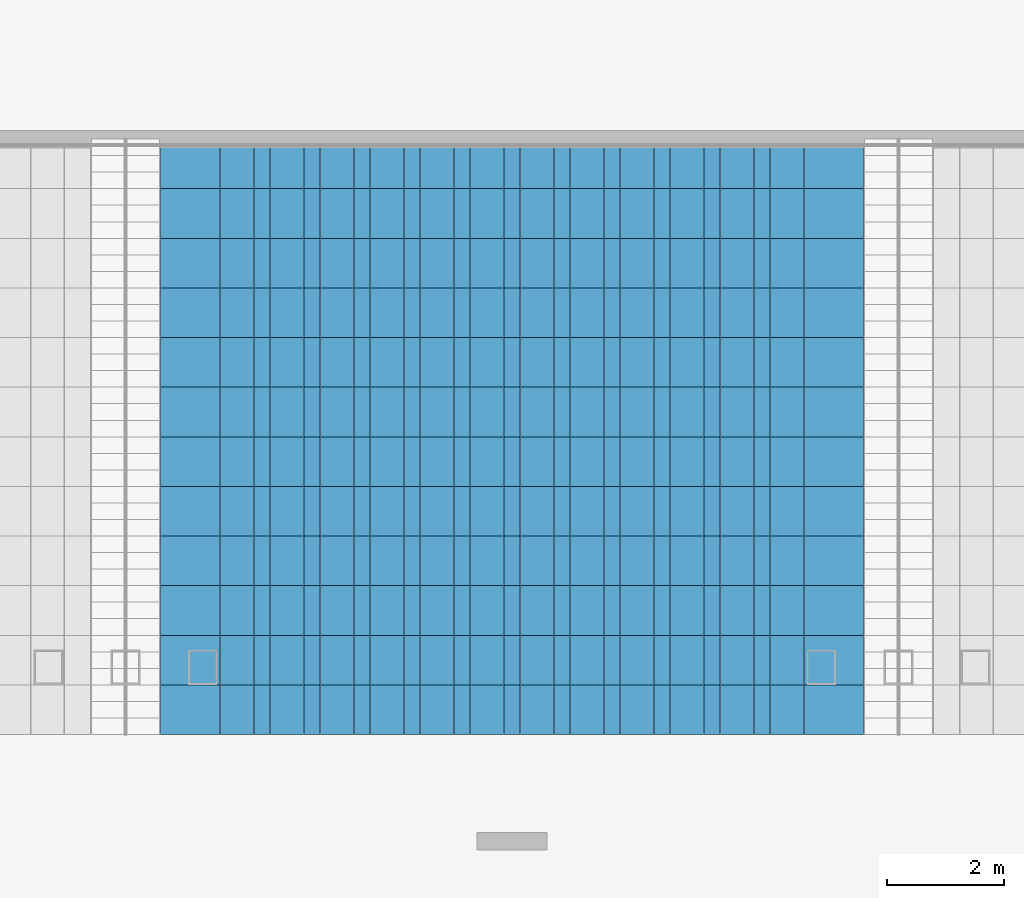
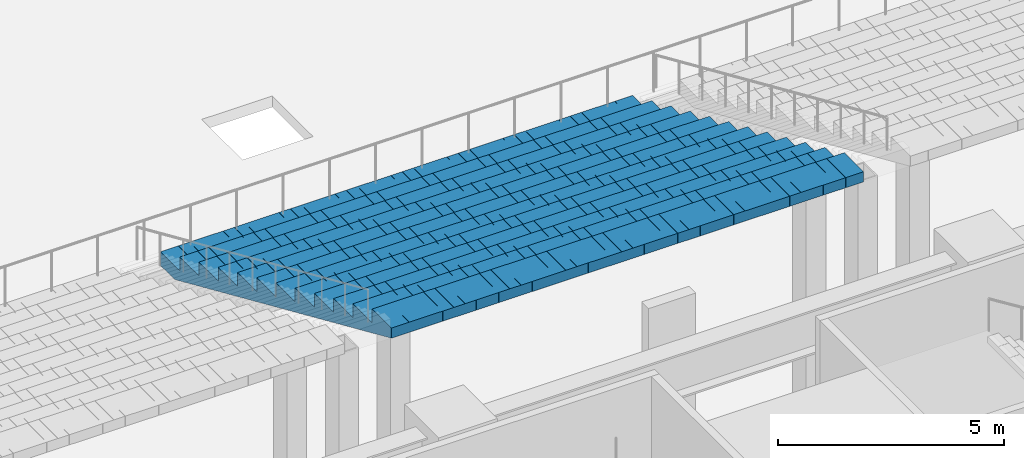
# One storey, part 18 of 62: 1 slab.
"""IFC4 building model written with IfcOpenShell, lengths in metres."""

import ifcopenshell
import ifcopenshell.guid

model = None  # the IFC model being written
_history = None  # IfcOwnerHistory: only IFC2X3 demands one
_inside = {}  # id of a spatial element -> (the spatial element, [elements in it])
_under = {}  # id of a project, library or spatial element -> (it, [spatial elements below it])
_declared = {}  # id of a project -> (the project, [libraries it declares])
_typed = {}  # id of a type object -> (the type object, [elements of that type])
_made_of = {}  # id of a material, layer set ... -> (it, [elements and type objects made of it])


def new_model(schema):
    """Start an empty IFC model of exactly this schema.

    Asked for "IFC4X3", IfcOpenShell would pick the latest addendum, in which some entities
    have other attributes; the version numbers below select the first issue.
    IFC2X3 requires an IfcOwnerHistory on every rooted entity: one is made here for all.
    """
    global model, _history
    if schema == "IFC4X3":
        model = ifcopenshell.file(schema_version=(4, 3, 0, 0))
    else:
        model = ifcopenshell.file(schema=schema)
    _inside.clear()
    _under.clear()
    _declared.clear()
    _typed.clear()
    _made_of.clear()
    _history = None
    if model.schema == "IFC2X3":
        org = make("IfcOrganization", Name="unknown")
        user = make(
            "IfcPersonAndOrganization",
            ThePerson=make("IfcPerson", FamilyName="unknown"),
            TheOrganization=org,
        )
        app = make(
            "IfcApplication",
            ApplicationDeveloper=org,
            Version="unknown",
            ApplicationFullName="unknown",
            ApplicationIdentifier="unknown",
        )
        _history = make(
            "IfcOwnerHistory",
            OwningUser=user,
            OwningApplication=app,
            ChangeAction="ADDED",
            CreationDate=0,
        )
    return model


def make(cls, **values):
    """One entity of the class cls with the attributes given. An attribute that is None is left unset."""
    return model.create_entity(
        cls, **{name: value for name, value in values.items() if value is not None}
    )


def rooted(cls, **values):
    """An entity with a GlobalId (a new one), such as an element, a storey or a relation."""
    return make(cls, GlobalId=ifcopenshell.guid.new(), OwnerHistory=_history, **values)


def si_unit(unit_type, name, prefix=None):
    """IfcSIUnit, for example si_unit("LENGTHUNIT", "METRE", prefix="MILLI")."""
    return make("IfcSIUnit", UnitType=unit_type, Prefix=prefix, Name=name)


def assignment(units):
    """IfcUnitAssignment: the units of a project."""
    return None if units is None else make("IfcUnitAssignment", Units=units)


def point(xyz):
    """IfcCartesianPoint."""
    return None if xyz is None else make("IfcCartesianPoint", Coordinates=xyz)


def direction(xyz):
    """IfcDirection."""
    return None if xyz is None else make("IfcDirection", DirectionRatios=xyz)


def frame(location, z_axis=None, x_axis=None):
    """IfcAxis2Placement3D, a coordinate frame: its origin and axes. An axis left out is left unset."""
    return make(
        "IfcAxis2Placement3D",
        Location=point(location),
        Axis=direction(z_axis),
        RefDirection=direction(x_axis),
    )


def origin():
    """The frame at (0, 0, 0) with its axes left unset."""
    return frame((0.0, 0.0, 0.0))


def place(relative_to, where):
    """IfcLocalPlacement: puts the frame where relative to a parent placement (None: the world)."""
    return make(
        "IfcLocalPlacement", PlacementRelTo=relative_to, RelativePlacement=where
    )


def context(
    kind, dimensions, precision=None, world=None, true_north=None, identifier=None
):
    """IfcGeometricRepresentationContext, for example the 3D "Model" context."""
    return make(
        "IfcGeometricRepresentationContext",
        ContextIdentifier=identifier,
        ContextType=kind,
        CoordinateSpaceDimension=dimensions,
        Precision=precision,
        WorldCoordinateSystem=world,
        TrueNorth=true_north,
    )


def subcontext(parent, identifier, kind, view, scale=None):
    """IfcGeometricRepresentationSubContext, for example "Body" below "Model"."""
    return make(
        "IfcGeometricRepresentationSubContext",
        ContextIdentifier=identifier,
        ContextType=kind,
        ParentContext=parent,
        TargetScale=scale,
        TargetView=view,
    )


def project(units=None, contexts=None):
    """IfcProject with its units and contexts."""
    return rooted(
        "IfcProject",
        Name="project",
        RepresentationContexts=contexts,
        UnitsInContext=assignment(units),
    )


def spatial(cls, under=None, at=None, **own):
    """A site, building, storey or space (cls), placed at a placement, below another one or the project."""
    s = rooted(cls, ObjectPlacement=at, **own)
    if under is not None:
        _under.setdefault(under.id(), (under, []))[1].append(s)
    return s


def polyline(points):
    """IfcPolyline through the points."""
    return make("IfcPolyline", Points=[point(p) for p in points])


def outline(outer, holes=None, kind="AREA"):
    """IfcArbitraryClosedProfileDef: a profile drawn as a closed curve; with holes, ...WithVoids."""
    if holes is None:
        return make("IfcArbitraryClosedProfileDef", ProfileType=kind, OuterCurve=outer)
    return make(
        "IfcArbitraryProfileDefWithVoids",
        ProfileType=kind,
        OuterCurve=outer,
        InnerCurves=holes,
    )


def extrude(swept, where, along, depth):
    """IfcExtrudedAreaSolid: the profile swept, set in the frame where, extruded along a direction by depth."""
    return make(
        "IfcExtrudedAreaSolid",
        SweptArea=swept,
        Position=where,
        ExtrudedDirection=direction(along),
        Depth=depth,
    )


def shape(context_of_items, identifier, shape_type, items):
    """IfcShapeRepresentation: the items that make up one representation, for example the "Body"."""
    return make(
        "IfcShapeRepresentation",
        ContextOfItems=context_of_items,
        RepresentationIdentifier=identifier,
        RepresentationType=shape_type,
        Items=items,
    )


def material(Name=None, Category=None):
    """IfcMaterial."""
    return make("IfcMaterial", Name=Name, Category=Category)


def layer(
    of_material, thickness, ventilated=None, Name=None, Category=None, Priority=None
):
    """IfcMaterialLayer: one layer of a wall or slab, of a material (None: an air gap)."""
    return make(
        "IfcMaterialLayer",
        Material=of_material,
        LayerThickness=thickness,
        IsVentilated=ventilated,
        Name=Name,
        Category=Category,
        Priority=Priority,
    )


def layer_set(layers, Name=None):
    """IfcMaterialLayerSet."""
    return make("IfcMaterialLayerSet", MaterialLayers=layers, LayerSetName=Name)


def made_of(thing, what):
    """Note that an element or type object is made of a material, layer set ...; save() writes the relation."""
    if what is not None:
        _made_of.setdefault(what.id(), (what, []))[1].append(thing)
    return thing


def type_object(cls, material=None, **own):
    """A type object (cls), such as IfcWallType, which elements share."""
    return made_of(rooted(cls, **own), material)


def element(
    cls,
    number,
    at=None,
    inside=None,
    cuts=None,
    type_object=None,
    material=None,
    context=None,
    identifier="Body",
    shape_type=None,
    held_by="IfcProductDefinitionShape",
    body=None,
    shapes=None,
    **own,
):
    """One element of the class cls, such as IfcWall. Its Tag is "e" and its number.

    at: its placement. inside: the storey or other place that contains it. cuts: it is an
    opening in that element (IfcRelVoidsElement). A single representation is given by context,
    identifier, shape_type and body (its items); several are given by shapes. held_by: the class
    of the entity that holds the representations. save() writes the other relations.
    """
    e = rooted(cls, Tag="e%d" % number, ObjectPlacement=at, **own)
    if body is not None:
        shapes = [shape(context, identifier, shape_type, body)]
    if shapes is not None:
        e.Representation = make(held_by, Representations=shapes)
    if inside is not None:
        _inside.setdefault(inside.id(), (inside, []))[1].append(e)
    if cuts is not None:
        rooted(
            "IfcRelVoidsElement", RelatingBuildingElement=cuts, RelatedOpeningElement=e
        )
    if type_object is not None:
        _typed.setdefault(type_object.id(), (type_object, []))[1].append(e)
    return made_of(e, material)


def aggregate(whole, parts):
    """IfcRelAggregates: a whole, such as a stair, and the parts it consists of."""
    return rooted("IfcRelAggregates", RelatingObject=whole, RelatedObjects=parts)


def save(model, path):
    """Write the relations noted so far, then the file.

    IfcRelAggregates (storeys below a building ...), IfcRelContainedInSpatialStructure (elements
    in a storey), IfcRelDefinesByType, IfcRelAssociatesMaterial and IfcRelDeclares: one each for
    every whole, place, type object, material and project.
    """
    for whole, parts in _under.values():
        aggregate(whole, parts)
    for where, things in _inside.values():
        rooted(
            "IfcRelContainedInSpatialStructure",
            RelatedElements=things,
            RelatingStructure=where,
        )
    for kind, things in _typed.values():
        rooted("IfcRelDefinesByType", RelatedObjects=things, RelatingType=kind)
    for what, things in _made_of.values():
        rooted("IfcRelAssociatesMaterial", RelatedObjects=things, RelatingMaterial=what)
    for by, libraries in _declared.values():
        rooted("IfcRelDeclares", RelatingContext=by, RelatedDefinitions=libraries)
    model.write(path)


model = new_model("IFC4")

# Units and contexts
model_context = context("Model", 3, precision=1e-05, world=origin(), true_north=direction((0.0, 1.0)))
body_context = subcontext(model_context, "Body", "Model", "MODEL_VIEW")
ifc_project = project(units=[si_unit("LENGTHUNIT", "METRE"), si_unit("AREAUNIT", "SQUARE_METRE"), si_unit("VOLUMEUNIT", "CUBIC_METRE"), si_unit("PLANEANGLEUNIT", "RADIAN"), si_unit("MASSUNIT", "GRAM", prefix="KILO")], contexts=[model_context])

# Site, building, storey
site_placement = place(None, origin())
site = spatial("IfcSite", under=ifc_project, at=site_placement, CompositionType="ELEMENT")
building_placement = place(site_placement, origin())
building = spatial("IfcBuilding", under=site, at=building_placement, Name="Corbelhall Arena Tower", CompositionType="ELEMENT")
storey_placement = place(building_placement, frame((0.0, 0.0, 12.0)))
storey = spatial("IfcBuildingStorey", under=building, at=storey_placement, Name="L01", CompositionType="ELEMENT", Elevation=12.0)

# Slab
ifc_material = material(Name="Precast concrete C40/50", Category="concrete")
ifc_layer = layer(ifc_material, 0.25)
ifc_layer_set = layer_set([ifc_layer], Name="AR-TIER-RAKED")
slab_type = type_object("IfcSlabType", Name="AR-TIER-RAKED", PredefinedType="FLOOR", material=ifc_layer_set)
slab_placement = place(storey_placement, frame((0.0, -15.14990234375, 2.125), z_axis=(0.0, 0.0, 1.0), x_axis=(0.0, -1.0, 0.0)))
element("IfcSlab", 1, at=slab_placement, inside=storey, type_object=slab_type, Name="Tier section LSC", PredefinedType="FLOOR", context=body_context, shape_type="SweptSolid", body=[
    extrude(outline(polyline([(0.0, 0.0), (0.0, 0.375), (0.85009765625, 0.375), (0.85009765625, 0.75), (1.699951171875, 0.75), (1.699951171875, 1.125), (2.550048828125, 1.125), (2.550048828125, 1.5), (3.39990234375, 1.5), (3.39990234375, 1.875), (4.25, 1.875), (4.25, 2.25), (5.10009765625, 2.25), (5.10009765625, 2.625), (5.949951171875, 2.625), (5.949951171875, 3.0), (6.800048828125, 3.0), (6.800048828125, 3.375), (7.64990234375, 3.375), (7.64990234375, 3.75), (8.5, 3.75), (8.5, 4.125), (9.35009765625, 4.125), (9.35009765625, 4.5), (10.199951171875, 4.5), (10.199951171875, 4.875), (10.199951171875, 4.226806640625), (0.619384765625, 0.0), (0.0, 0.0)])), frame((0.0, 6.02001953125, 0.0), z_axis=(0.0, -1.0, 0.0), x_axis=(1.0, 0.0, 0.0)), (0.0, 0.0, 1.0), 0.449951171875),
    extrude(outline(polyline([(0.0, 0.0), (0.0, 0.375), (0.85009765625, 0.375), (0.85009765625, 0.75), (1.699951171875, 0.75), (1.699951171875, 1.125), (2.550048828125, 1.125), (2.550048828125, 1.5), (3.39990234375, 1.5), (3.39990234375, 1.875), (4.25, 1.875), (4.25, 2.25), (5.10009765625, 2.25), (5.10009765625, 2.625), (5.949951171875, 2.625), (5.949951171875, 3.0), (6.800048828125, 3.0), (6.800048828125, 3.375), (7.64990234375, 3.375), (7.64990234375, 3.75), (8.5, 3.75), (8.5, 4.125), (9.35009765625, 4.125), (9.35009765625, 4.5), (10.199951171875, 4.5), (10.199951171875, 4.875), (10.199951171875, 4.226806640625), (0.619384765625, 0.0), (0.0, 0.0)])), frame((0.0, 5.56591796875, 0.0), z_axis=(0.0, -1.0, 0.0), x_axis=(1.0, 0.0, 0.0)), (0.0, 0.0, 1.0), 0.281494140625),
    extrude(outline(polyline([(0.0, 0.0), (0.0, 0.375), (0.85009765625, 0.375), (0.85009765625, 0.75), (1.699951171875, 0.75), (1.699951171875, 1.125), (2.550048828125, 1.125), (2.550048828125, 1.5), (3.39990234375, 1.5), (3.39990234375, 1.875), (4.25, 1.875), (4.25, 2.25), (5.10009765625, 2.25), (5.10009765625, 2.625), (5.949951171875, 2.625), (5.949951171875, 3.0), (6.800048828125, 3.0), (6.800048828125, 3.375), (7.64990234375, 3.375), (7.64990234375, 3.75), (8.5, 3.75), (8.5, 4.125), (9.35009765625, 4.125), (9.35009765625, 4.5), (10.199951171875, 4.5), (10.199951171875, 4.875), (10.199951171875, 4.226806640625), (0.619384765625, 0.0), (0.0, 0.0)])), frame((0.0, 5.280517578125, 0.0), z_axis=(0.0, -1.0, 0.0), x_axis=(1.0, 0.0, 0.0)), (0.0, 0.0, 1.0), 0.281494140625),
    extrude(outline(polyline([(0.0, 0.0), (0.0, 0.375), (0.85009765625, 0.375), (0.85009765625, 0.75), (1.699951171875, 0.75), (1.699951171875, 1.125), (2.550048828125, 1.125), (2.550048828125, 1.5), (3.39990234375, 1.5), (3.39990234375, 1.875), (4.25, 1.875), (4.25, 2.25), (5.10009765625, 2.25), (5.10009765625, 2.625), (5.949951171875, 2.625), (5.949951171875, 3.0), (6.800048828125, 3.0), (6.800048828125, 3.375), (7.64990234375, 3.375), (7.64990234375, 3.75), (8.5, 3.75), (8.5, 4.125), (9.35009765625, 4.125), (9.35009765625, 4.5), (10.199951171875, 4.5), (10.199951171875, 4.875), (10.199951171875, 4.226806640625), (0.619384765625, 0.0), (0.0, 0.0)])), frame((0.0, 4.994873046875, 0.0), z_axis=(0.0, -1.0, 0.0), x_axis=(1.0, 0.0, 0.0)), (0.0, 0.0, 1.0), 0.281494140625),
    extrude(outline(polyline([(0.0, 0.0), (0.0, 0.375), (0.85009765625, 0.375), (0.85009765625, 0.75), (1.699951171875, 0.75), (1.699951171875, 1.125), (2.550048828125, 1.125), (2.550048828125, 1.5), (3.39990234375, 1.5), (3.39990234375, 1.875), (4.25, 1.875), (4.25, 2.25), (5.10009765625, 2.25), (5.10009765625, 2.625), (5.949951171875, 2.625), (5.949951171875, 3.0), (6.800048828125, 3.0), (6.800048828125, 3.375), (7.64990234375, 3.375), (7.64990234375, 3.75), (8.5, 3.75), (8.5, 4.125), (9.35009765625, 4.125), (9.35009765625, 4.5), (10.199951171875, 4.5), (10.199951171875, 4.875), (10.199951171875, 4.226806640625), (0.619384765625, 0.0), (0.0, 0.0)])), frame((0.0, 4.70947265625, 0.0), z_axis=(0.0, -1.0, 0.0), x_axis=(1.0, 0.0, 0.0)), (0.0, 0.0, 1.0), 0.281494140625),
    extrude(outline(polyline([(0.0, 0.0), (0.0, 0.375), (0.85009765625, 0.375), (0.85009765625, 0.75), (1.699951171875, 0.75), (1.699951171875, 1.125), (2.550048828125, 1.125), (2.550048828125, 1.5), (3.39990234375, 1.5), (3.39990234375, 1.875), (4.25, 1.875), (4.25, 2.25), (5.10009765625, 2.25), (5.10009765625, 2.625), (5.949951171875, 2.625), (5.949951171875, 3.0), (6.800048828125, 3.0), (6.800048828125, 3.375), (7.64990234375, 3.375), (7.64990234375, 3.75), (8.5, 3.75), (8.5, 4.125), (9.35009765625, 4.125), (9.35009765625, 4.5), (10.199951171875, 4.5), (10.199951171875, 4.875), (10.199951171875, 4.226806640625), (0.619384765625, 0.0), (0.0, 0.0)])), frame((0.0, 4.423828125, 0.0), z_axis=(0.0, -1.0, 0.0), x_axis=(1.0, 0.0, 0.0)), (0.0, 0.0, 1.0), 0.281494140625),
    extrude(outline(polyline([(0.0, 0.0), (0.0, 0.375), (0.85009765625, 0.375), (0.85009765625, 0.75), (1.699951171875, 0.75), (1.699951171875, 1.125), (2.550048828125, 1.125), (2.550048828125, 1.5), (3.39990234375, 1.5), (3.39990234375, 1.875), (4.25, 1.875), (4.25, 2.25), (5.10009765625, 2.25), (5.10009765625, 2.625), (5.949951171875, 2.625), (5.949951171875, 3.0), (6.800048828125, 3.0), (6.800048828125, 3.375), (7.64990234375, 3.375), (7.64990234375, 3.75), (8.5, 3.75), (8.5, 4.125), (9.35009765625, 4.125), (9.35009765625, 4.5), (10.199951171875, 4.5), (10.199951171875, 4.875), (10.199951171875, 4.226806640625), (0.619384765625, 0.0), (0.0, 0.0)])), frame((0.0, 4.138427734375, 0.0), z_axis=(0.0, -1.0, 0.0), x_axis=(1.0, 0.0, 0.0)), (0.0, 0.0, 1.0), 0.281494140625),
    extrude(outline(polyline([(0.0, 0.0), (0.0, 0.375), (0.85009765625, 0.375), (0.85009765625, 0.75), (1.699951171875, 0.75), (1.699951171875, 1.125), (2.550048828125, 1.125), (2.550048828125, 1.5), (3.39990234375, 1.5), (3.39990234375, 1.875), (4.25, 1.875), (4.25, 2.25), (5.10009765625, 2.25), (5.10009765625, 2.625), (5.949951171875, 2.625), (5.949951171875, 3.0), (6.800048828125, 3.0), (6.800048828125, 3.375), (7.64990234375, 3.375), (7.64990234375, 3.75), (8.5, 3.75), (8.5, 4.125), (9.35009765625, 4.125), (9.35009765625, 4.5), (10.199951171875, 4.5), (10.199951171875, 4.875), (10.199951171875, 4.226806640625), (0.619384765625, 0.0), (0.0, 0.0)])), frame((0.0, 3.852783203125, 0.0), z_axis=(0.0, -1.0, 0.0), x_axis=(1.0, 0.0, 0.0)), (0.0, 0.0, 1.0), 0.281494140625),
    extrude(outline(polyline([(0.0, 0.0), (0.0, 0.375), (0.85009765625, 0.375), (0.85009765625, 0.75), (1.699951171875, 0.75), (1.699951171875, 1.125), (2.550048828125, 1.125), (2.550048828125, 1.5), (3.39990234375, 1.5), (3.39990234375, 1.875), (4.25, 1.875), (4.25, 2.25), (5.10009765625, 2.25), (5.10009765625, 2.625), (5.949951171875, 2.625), (5.949951171875, 3.0), (6.800048828125, 3.0), (6.800048828125, 3.375), (7.64990234375, 3.375), (7.64990234375, 3.75), (8.5, 3.75), (8.5, 4.125), (9.35009765625, 4.125), (9.35009765625, 4.5), (10.199951171875, 4.5), (10.199951171875, 4.875), (10.199951171875, 4.226806640625), (0.619384765625, 0.0), (0.0, 0.0)])), frame((0.0, 3.567138671875, 0.0), z_axis=(0.0, -1.0, 0.0), x_axis=(1.0, 0.0, 0.0)), (0.0, 0.0, 1.0), 0.281494140625),
    extrude(outline(polyline([(0.0, 0.0), (0.0, 0.375), (0.85009765625, 0.375), (0.85009765625, 0.75), (1.699951171875, 0.75), (1.699951171875, 1.125), (2.550048828125, 1.125), (2.550048828125, 1.5), (3.39990234375, 1.5), (3.39990234375, 1.875), (4.25, 1.875), (4.25, 2.25), (5.10009765625, 2.25), (5.10009765625, 2.625), (5.949951171875, 2.625), (5.949951171875, 3.0), (6.800048828125, 3.0), (6.800048828125, 3.375), (7.64990234375, 3.375), (7.64990234375, 3.75), (8.5, 3.75), (8.5, 4.125), (9.35009765625, 4.125), (9.35009765625, 4.5), (10.199951171875, 4.5), (10.199951171875, 4.875), (10.199951171875, 4.226806640625), (0.619384765625, 0.0), (0.0, 0.0)])), frame((0.0, 3.28173828125, 0.0), z_axis=(0.0, -1.0, 0.0), x_axis=(1.0, 0.0, 0.0)), (0.0, 0.0, 1.0), 0.281494140625),
    extrude(outline(polyline([(0.0, 0.0), (0.0, 0.375), (0.85009765625, 0.375), (0.85009765625, 0.75), (1.699951171875, 0.75), (1.699951171875, 1.125), (2.550048828125, 1.125), (2.550048828125, 1.5), (3.39990234375, 1.5), (3.39990234375, 1.875), (4.25, 1.875), (4.25, 2.25), (5.10009765625, 2.25), (5.10009765625, 2.625), (5.949951171875, 2.625), (5.949951171875, 3.0), (6.800048828125, 3.0), (6.800048828125, 3.375), (7.64990234375, 3.375), (7.64990234375, 3.75), (8.5, 3.75), (8.5, 4.125), (9.35009765625, 4.125), (9.35009765625, 4.5), (10.199951171875, 4.5), (10.199951171875, 4.875), (10.199951171875, 4.226806640625), (0.619384765625, 0.0), (0.0, 0.0)])), frame((0.0, 2.99609375, 0.0), z_axis=(0.0, -1.0, 0.0), x_axis=(1.0, 0.0, 0.0)), (0.0, 0.0, 1.0), 0.281494140625),
    extrude(outline(polyline([(0.0, 0.0), (0.0, 0.375), (0.85009765625, 0.375), (0.85009765625, 0.75), (1.699951171875, 0.75), (1.699951171875, 1.125), (2.550048828125, 1.125), (2.550048828125, 1.5), (3.39990234375, 1.5), (3.39990234375, 1.875), (4.25, 1.875), (4.25, 2.25), (5.10009765625, 2.25), (5.10009765625, 2.625), (5.949951171875, 2.625), (5.949951171875, 3.0), (6.800048828125, 3.0), (6.800048828125, 3.375), (7.64990234375, 3.375), (7.64990234375, 3.75), (8.5, 3.75), (8.5, 4.125), (9.35009765625, 4.125), (9.35009765625, 4.5), (10.199951171875, 4.5), (10.199951171875, 4.875), (10.199951171875, 4.226806640625), (0.619384765625, 0.0), (0.0, 0.0)])), frame((0.0, 2.710693359375, 0.0), z_axis=(0.0, -1.0, 0.0), x_axis=(1.0, 0.0, 0.0)), (0.0, 0.0, 1.0), 0.281494140625),
    extrude(outline(polyline([(0.0, 0.0), (0.0, 0.375), (0.85009765625, 0.375), (0.85009765625, 0.75), (1.699951171875, 0.75), (1.699951171875, 1.125), (2.550048828125, 1.125), (2.550048828125, 1.5), (3.39990234375, 1.5), (3.39990234375, 1.875), (4.25, 1.875), (4.25, 2.25), (5.10009765625, 2.25), (5.10009765625, 2.625), (5.949951171875, 2.625), (5.949951171875, 3.0), (6.800048828125, 3.0), (6.800048828125, 3.375), (7.64990234375, 3.375), (7.64990234375, 3.75), (8.5, 3.75), (8.5, 4.125), (9.35009765625, 4.125), (9.35009765625, 4.5), (10.199951171875, 4.5), (10.199951171875, 4.875), (10.199951171875, 4.226806640625), (0.619384765625, 0.0), (0.0, 0.0)])), frame((0.0, 2.425048828125, 0.0), z_axis=(0.0, -1.0, 0.0), x_axis=(1.0, 0.0, 0.0)), (0.0, 0.0, 1.0), 0.281494140625),
    extrude(outline(polyline([(0.0, 0.0), (0.0, 0.375), (0.85009765625, 0.375), (0.85009765625, 0.75), (1.699951171875, 0.75), (1.699951171875, 1.125), (2.550048828125, 1.125), (2.550048828125, 1.5), (3.39990234375, 1.5), (3.39990234375, 1.875), (4.25, 1.875), (4.25, 2.25), (5.10009765625, 2.25), (5.10009765625, 2.625), (5.949951171875, 2.625), (5.949951171875, 3.0), (6.800048828125, 3.0), (6.800048828125, 3.375), (7.64990234375, 3.375), (7.64990234375, 3.75), (8.5, 3.75), (8.5, 4.125), (9.35009765625, 4.125), (9.35009765625, 4.5), (10.199951171875, 4.5), (10.199951171875, 4.875), (10.199951171875, 4.226806640625), (0.619384765625, 0.0), (0.0, 0.0)])), frame((0.0, 2.1396484375, 0.0), z_axis=(0.0, -1.0, 0.0), x_axis=(1.0, 0.0, 0.0)), (0.0, 0.0, 1.0), 0.281494140625),
    extrude(outline(polyline([(0.0, 0.0), (0.0, 0.375), (0.85009765625, 0.375), (0.85009765625, 0.75), (1.699951171875, 0.75), (1.699951171875, 1.125), (2.550048828125, 1.125), (2.550048828125, 1.5), (3.39990234375, 1.5), (3.39990234375, 1.875), (4.25, 1.875), (4.25, 2.25), (5.10009765625, 2.25), (5.10009765625, 2.625), (5.949951171875, 2.625), (5.949951171875, 3.0), (6.800048828125, 3.0), (6.800048828125, 3.375), (7.64990234375, 3.375), (7.64990234375, 3.75), (8.5, 3.75), (8.5, 4.125), (9.35009765625, 4.125), (9.35009765625, 4.5), (10.199951171875, 4.5), (10.199951171875, 4.875), (10.199951171875, 4.226806640625), (0.619384765625, 0.0), (0.0, 0.0)])), frame((0.0, 1.85400390625, 0.0), z_axis=(0.0, -1.0, 0.0), x_axis=(1.0, 0.0, 0.0)), (0.0, 0.0, 1.0), 0.281494140625),
    extrude(outline(polyline([(0.0, 0.0), (0.0, 0.375), (0.85009765625, 0.375), (0.85009765625, 0.75), (1.699951171875, 0.75), (1.699951171875, 1.125), (2.550048828125, 1.125), (2.550048828125, 1.5), (3.39990234375, 1.5), (3.39990234375, 1.875), (4.25, 1.875), (4.25, 2.25), (5.10009765625, 2.25), (5.10009765625, 2.625), (5.949951171875, 2.625), (5.949951171875, 3.0), (6.800048828125, 3.0), (6.800048828125, 3.375), (7.64990234375, 3.375), (7.64990234375, 3.75), (8.5, 3.75), (8.5, 4.125), (9.35009765625, 4.125), (9.35009765625, 4.5), (10.199951171875, 4.5), (10.199951171875, 4.875), (10.199951171875, 4.226806640625), (0.619384765625, 0.0), (0.0, 0.0)])), frame((0.0, 1.568359375, 0.0), z_axis=(0.0, -1.0, 0.0), x_axis=(1.0, 0.0, 0.0)), (0.0, 0.0, 1.0), 0.281494140625),
    extrude(outline(polyline([(0.0, 0.0), (0.0, 0.375), (0.85009765625, 0.375), (0.85009765625, 0.75), (1.699951171875, 0.75), (1.699951171875, 1.125), (2.550048828125, 1.125), (2.550048828125, 1.5), (3.39990234375, 1.5), (3.39990234375, 1.875), (4.25, 1.875), (4.25, 2.25), (5.10009765625, 2.25), (5.10009765625, 2.625), (5.949951171875, 2.625), (5.949951171875, 3.0), (6.800048828125, 3.0), (6.800048828125, 3.375), (7.64990234375, 3.375), (7.64990234375, 3.75), (8.5, 3.75), (8.5, 4.125), (9.35009765625, 4.125), (9.35009765625, 4.5), (10.199951171875, 4.5), (10.199951171875, 4.875), (10.199951171875, 4.226806640625), (0.619384765625, 0.0), (0.0, 0.0)])), frame((0.0, 1.282958984375, 0.0), z_axis=(0.0, -1.0, 0.0), x_axis=(1.0, 0.0, 0.0)), (0.0, 0.0, 1.0), 0.281494140625),
    extrude(outline(polyline([(0.0, 0.0), (0.0, 0.375), (0.85009765625, 0.375), (0.85009765625, 0.75), (1.699951171875, 0.75), (1.699951171875, 1.125), (2.550048828125, 1.125), (2.550048828125, 1.5), (3.39990234375, 1.5), (3.39990234375, 1.875), (4.25, 1.875), (4.25, 2.25), (5.10009765625, 2.25), (5.10009765625, 2.625), (5.949951171875, 2.625), (5.949951171875, 3.0), (6.800048828125, 3.0), (6.800048828125, 3.375), (7.64990234375, 3.375), (7.64990234375, 3.75), (8.5, 3.75), (8.5, 4.125), (9.35009765625, 4.125), (9.35009765625, 4.5), (10.199951171875, 4.5), (10.199951171875, 4.875), (10.199951171875, 4.226806640625), (0.619384765625, 0.0), (0.0, 0.0)])), frame((0.0, 0.997314453125, 0.0), z_axis=(0.0, -1.0, 0.0), x_axis=(1.0, 0.0, 0.0)), (0.0, 0.0, 1.0), 0.281494140625),
    extrude(outline(polyline([(0.0, 0.0), (0.0, 0.375), (0.85009765625, 0.375), (0.85009765625, 0.75), (1.699951171875, 0.75), (1.699951171875, 1.125), (2.550048828125, 1.125), (2.550048828125, 1.5), (3.39990234375, 1.5), (3.39990234375, 1.875), (4.25, 1.875), (4.25, 2.25), (5.10009765625, 2.25), (5.10009765625, 2.625), (5.949951171875, 2.625), (5.949951171875, 3.0), (6.800048828125, 3.0), (6.800048828125, 3.375), (7.64990234375, 3.375), (7.64990234375, 3.75), (8.5, 3.75), (8.5, 4.125), (9.35009765625, 4.125), (9.35009765625, 4.5), (10.199951171875, 4.5), (10.199951171875, 4.875), (10.199951171875, 4.226806640625), (0.619384765625, 0.0), (0.0, 0.0)])), frame((0.0, 0.7119140625, 0.0), z_axis=(0.0, -1.0, 0.0), x_axis=(1.0, 0.0, 0.0)), (0.0, 0.0, 1.0), 0.281494140625),
    extrude(outline(polyline([(0.0, 0.0), (0.0, 0.375), (0.85009765625, 0.375), (0.85009765625, 0.75), (1.699951171875, 0.75), (1.699951171875, 1.125), (2.550048828125, 1.125), (2.550048828125, 1.5), (3.39990234375, 1.5), (3.39990234375, 1.875), (4.25, 1.875), (4.25, 2.25), (5.10009765625, 2.25), (5.10009765625, 2.625), (5.949951171875, 2.625), (5.949951171875, 3.0), (6.800048828125, 3.0), (6.800048828125, 3.375), (7.64990234375, 3.375), (7.64990234375, 3.75), (8.5, 3.75), (8.5, 4.125), (9.35009765625, 4.125), (9.35009765625, 4.5), (10.199951171875, 4.5), (10.199951171875, 4.875), (10.199951171875, 4.226806640625), (0.619384765625, 0.0), (0.0, 0.0)])), frame((0.0, 0.42626953125, 0.0), z_axis=(0.0, -1.0, 0.0), x_axis=(1.0, 0.0, 0.0)), (0.0, 0.0, 1.0), 0.281494140625),
    extrude(outline(polyline([(0.0, 0.0), (0.0, 0.375), (0.85009765625, 0.375), (0.85009765625, 0.75), (1.699951171875, 0.75), (1.699951171875, 1.125), (2.550048828125, 1.125), (2.550048828125, 1.5), (3.39990234375, 1.5), (3.39990234375, 1.875), (4.25, 1.875), (4.25, 2.25), (5.10009765625, 2.25), (5.10009765625, 2.625), (5.949951171875, 2.625), (5.949951171875, 3.0), (6.800048828125, 3.0), (6.800048828125, 3.375), (7.64990234375, 3.375), (7.64990234375, 3.75), (8.5, 3.75), (8.5, 4.125), (9.35009765625, 4.125), (9.35009765625, 4.5), (10.199951171875, 4.5), (10.199951171875, 4.875), (10.199951171875, 4.226806640625), (0.619384765625, 0.0), (0.0, 0.0)])), frame((0.0, 0.140869140625, 0.0), z_axis=(0.0, -1.0, 0.0), x_axis=(1.0, 0.0, 0.0)), (0.0, 0.0, 1.0), 0.281494140625),
    extrude(outline(polyline([(0.0, 0.0), (0.0, 0.375), (0.85009765625, 0.375), (0.85009765625, 0.75), (1.699951171875, 0.75), (1.699951171875, 1.125), (2.550048828125, 1.125), (2.550048828125, 1.5), (3.39990234375, 1.5), (3.39990234375, 1.875), (4.25, 1.875), (4.25, 2.25), (5.10009765625, 2.25), (5.10009765625, 2.625), (5.949951171875, 2.625), (5.949951171875, 3.0), (6.800048828125, 3.0), (6.800048828125, 3.375), (7.64990234375, 3.375), (7.64990234375, 3.75), (8.5, 3.75), (8.5, 4.125), (9.35009765625, 4.125), (9.35009765625, 4.5), (10.199951171875, 4.5), (10.199951171875, 4.875), (10.199951171875, 4.226806640625), (0.619384765625, 0.0), (0.0, 0.0)])), frame((0.0, -0.144775390625, 0.0), z_axis=(0.0, -1.0, 0.0), x_axis=(1.0, 0.0, 0.0)), (0.0, 0.0, 1.0), 0.281494140625),
    extrude(outline(polyline([(0.0, 0.0), (0.0, 0.375), (0.85009765625, 0.375), (0.85009765625, 0.75), (1.699951171875, 0.75), (1.699951171875, 1.125), (2.550048828125, 1.125), (2.550048828125, 1.5), (3.39990234375, 1.5), (3.39990234375, 1.875), (4.25, 1.875), (4.25, 2.25), (5.10009765625, 2.25), (5.10009765625, 2.625), (5.949951171875, 2.625), (5.949951171875, 3.0), (6.800048828125, 3.0), (6.800048828125, 3.375), (7.64990234375, 3.375), (7.64990234375, 3.75), (8.5, 3.75), (8.5, 4.125), (9.35009765625, 4.125), (9.35009765625, 4.5), (10.199951171875, 4.5), (10.199951171875, 4.875), (10.199951171875, 4.226806640625), (0.619384765625, 0.0), (0.0, 0.0)])), frame((0.0, -0.430419921875, 0.0), z_axis=(0.0, -1.0, 0.0), x_axis=(1.0, 0.0, 0.0)), (0.0, 0.0, 1.0), 0.281494140625),
    extrude(outline(polyline([(0.0, 0.0), (0.0, 0.375), (0.85009765625, 0.375), (0.85009765625, 0.75), (1.699951171875, 0.75), (1.699951171875, 1.125), (2.550048828125, 1.125), (2.550048828125, 1.5), (3.39990234375, 1.5), (3.39990234375, 1.875), (4.25, 1.875), (4.25, 2.25), (5.10009765625, 2.25), (5.10009765625, 2.625), (5.949951171875, 2.625), (5.949951171875, 3.0), (6.800048828125, 3.0), (6.800048828125, 3.375), (7.64990234375, 3.375), (7.64990234375, 3.75), (8.5, 3.75), (8.5, 4.125), (9.35009765625, 4.125), (9.35009765625, 4.5), (10.199951171875, 4.5), (10.199951171875, 4.875), (10.199951171875, 4.226806640625), (0.619384765625, 0.0), (0.0, 0.0)])), frame((0.0, -0.7158203125, 0.0), z_axis=(0.0, -1.0, 0.0), x_axis=(1.0, 0.0, 0.0)), (0.0, 0.0, 1.0), 0.281494140625),
    extrude(outline(polyline([(0.0, 0.0), (0.0, 0.375), (0.85009765625, 0.375), (0.85009765625, 0.75), (1.699951171875, 0.75), (1.699951171875, 1.125), (2.550048828125, 1.125), (2.550048828125, 1.5), (3.39990234375, 1.5), (3.39990234375, 1.875), (4.25, 1.875), (4.25, 2.25), (5.10009765625, 2.25), (5.10009765625, 2.625), (5.949951171875, 2.625), (5.949951171875, 3.0), (6.800048828125, 3.0), (6.800048828125, 3.375), (7.64990234375, 3.375), (7.64990234375, 3.75), (8.5, 3.75), (8.5, 4.125), (9.35009765625, 4.125), (9.35009765625, 4.5), (10.199951171875, 4.5), (10.199951171875, 4.875), (10.199951171875, 4.226806640625), (0.619384765625, 0.0), (0.0, 0.0)])), frame((0.0, -1.00146484375, 0.0), z_axis=(0.0, -1.0, 0.0), x_axis=(1.0, 0.0, 0.0)), (0.0, 0.0, 1.0), 0.281494140625),
    extrude(outline(polyline([(0.0, 0.0), (0.0, 0.375), (0.85009765625, 0.375), (0.85009765625, 0.75), (1.699951171875, 0.75), (1.699951171875, 1.125), (2.550048828125, 1.125), (2.550048828125, 1.5), (3.39990234375, 1.5), (3.39990234375, 1.875), (4.25, 1.875), (4.25, 2.25), (5.10009765625, 2.25), (5.10009765625, 2.625), (5.949951171875, 2.625), (5.949951171875, 3.0), (6.800048828125, 3.0), (6.800048828125, 3.375), (7.64990234375, 3.375), (7.64990234375, 3.75), (8.5, 3.75), (8.5, 4.125), (9.35009765625, 4.125), (9.35009765625, 4.5), (10.199951171875, 4.5), (10.199951171875, 4.875), (10.199951171875, 4.226806640625), (0.619384765625, 0.0), (0.0, 0.0)])), frame((0.0, -1.286865234375, 0.0), z_axis=(0.0, -1.0, 0.0), x_axis=(1.0, 0.0, 0.0)), (0.0, 0.0, 1.0), 0.281494140625),
    extrude(outline(polyline([(0.0, 0.0), (0.0, 0.375), (0.85009765625, 0.375), (0.85009765625, 0.75), (1.699951171875, 0.75), (1.699951171875, 1.125), (2.550048828125, 1.125), (2.550048828125, 1.5), (3.39990234375, 1.5), (3.39990234375, 1.875), (4.25, 1.875), (4.25, 2.25), (5.10009765625, 2.25), (5.10009765625, 2.625), (5.949951171875, 2.625), (5.949951171875, 3.0), (6.800048828125, 3.0), (6.800048828125, 3.375), (7.64990234375, 3.375), (7.64990234375, 3.75), (8.5, 3.75), (8.5, 4.125), (9.35009765625, 4.125), (9.35009765625, 4.5), (10.199951171875, 4.5), (10.199951171875, 4.875), (10.199951171875, 4.226806640625), (0.619384765625, 0.0), (0.0, 0.0)])), frame((0.0, -1.572509765625, 0.0), z_axis=(0.0, -1.0, 0.0), x_axis=(1.0, 0.0, 0.0)), (0.0, 0.0, 1.0), 0.281494140625),
    extrude(outline(polyline([(0.0, 0.0), (0.0, 0.375), (0.85009765625, 0.375), (0.85009765625, 0.75), (1.699951171875, 0.75), (1.699951171875, 1.125), (2.550048828125, 1.125), (2.550048828125, 1.5), (3.39990234375, 1.5), (3.39990234375, 1.875), (4.25, 1.875), (4.25, 2.25), (5.10009765625, 2.25), (5.10009765625, 2.625), (5.949951171875, 2.625), (5.949951171875, 3.0), (6.800048828125, 3.0), (6.800048828125, 3.375), (7.64990234375, 3.375), (7.64990234375, 3.75), (8.5, 3.75), (8.5, 4.125), (9.35009765625, 4.125), (9.35009765625, 4.5), (10.199951171875, 4.5), (10.199951171875, 4.875), (10.199951171875, 4.226806640625), (0.619384765625, 0.0), (0.0, 0.0)])), frame((0.0, -1.85791015625, 0.0), z_axis=(0.0, -1.0, 0.0), x_axis=(1.0, 0.0, 0.0)), (0.0, 0.0, 1.0), 0.281494140625),
    extrude(outline(polyline([(0.0, 0.0), (0.0, 0.375), (0.85009765625, 0.375), (0.85009765625, 0.75), (1.699951171875, 0.75), (1.699951171875, 1.125), (2.550048828125, 1.125), (2.550048828125, 1.5), (3.39990234375, 1.5), (3.39990234375, 1.875), (4.25, 1.875), (4.25, 2.25), (5.10009765625, 2.25), (5.10009765625, 2.625), (5.949951171875, 2.625), (5.949951171875, 3.0), (6.800048828125, 3.0), (6.800048828125, 3.375), (7.64990234375, 3.375), (7.64990234375, 3.75), (8.5, 3.75), (8.5, 4.125), (9.35009765625, 4.125), (9.35009765625, 4.5), (10.199951171875, 4.5), (10.199951171875, 4.875), (10.199951171875, 4.226806640625), (0.619384765625, 0.0), (0.0, 0.0)])), frame((0.0, -2.1435546875, 0.0), z_axis=(0.0, -1.0, 0.0), x_axis=(1.0, 0.0, 0.0)), (0.0, 0.0, 1.0), 0.281494140625),
    extrude(outline(polyline([(0.0, 0.0), (0.0, 0.375), (0.85009765625, 0.375), (0.85009765625, 0.75), (1.699951171875, 0.75), (1.699951171875, 1.125), (2.550048828125, 1.125), (2.550048828125, 1.5), (3.39990234375, 1.5), (3.39990234375, 1.875), (4.25, 1.875), (4.25, 2.25), (5.10009765625, 2.25), (5.10009765625, 2.625), (5.949951171875, 2.625), (5.949951171875, 3.0), (6.800048828125, 3.0), (6.800048828125, 3.375), (7.64990234375, 3.375), (7.64990234375, 3.75), (8.5, 3.75), (8.5, 4.125), (9.35009765625, 4.125), (9.35009765625, 4.5), (10.199951171875, 4.5), (10.199951171875, 4.875), (10.199951171875, 4.226806640625), (0.619384765625, 0.0), (0.0, 0.0)])), frame((0.0, -2.42919921875, 0.0), z_axis=(0.0, -1.0, 0.0), x_axis=(1.0, 0.0, 0.0)), (0.0, 0.0, 1.0), 0.281494140625),
    extrude(outline(polyline([(0.0, 0.0), (0.0, 0.375), (0.85009765625, 0.375), (0.85009765625, 0.75), (1.699951171875, 0.75), (1.699951171875, 1.125), (2.550048828125, 1.125), (2.550048828125, 1.5), (3.39990234375, 1.5), (3.39990234375, 1.875), (4.25, 1.875), (4.25, 2.25), (5.10009765625, 2.25), (5.10009765625, 2.625), (5.949951171875, 2.625), (5.949951171875, 3.0), (6.800048828125, 3.0), (6.800048828125, 3.375), (7.64990234375, 3.375), (7.64990234375, 3.75), (8.5, 3.75), (8.5, 4.125), (9.35009765625, 4.125), (9.35009765625, 4.5), (10.199951171875, 4.5), (10.199951171875, 4.875), (10.199951171875, 4.226806640625), (0.619384765625, 0.0), (0.0, 0.0)])), frame((0.0, -2.714599609375, 0.0), z_axis=(0.0, -1.0, 0.0), x_axis=(1.0, 0.0, 0.0)), (0.0, 0.0, 1.0), 0.281494140625),
    extrude(outline(polyline([(0.0, 0.0), (0.0, 0.375), (0.85009765625, 0.375), (0.85009765625, 0.75), (1.699951171875, 0.75), (1.699951171875, 1.125), (2.550048828125, 1.125), (2.550048828125, 1.5), (3.39990234375, 1.5), (3.39990234375, 1.875), (4.25, 1.875), (4.25, 2.25), (5.10009765625, 2.25), (5.10009765625, 2.625), (5.949951171875, 2.625), (5.949951171875, 3.0), (6.800048828125, 3.0), (6.800048828125, 3.375), (7.64990234375, 3.375), (7.64990234375, 3.75), (8.5, 3.75), (8.5, 4.125), (9.35009765625, 4.125), (9.35009765625, 4.5), (10.199951171875, 4.5), (10.199951171875, 4.875), (10.199951171875, 4.226806640625), (0.619384765625, 0.0), (0.0, 0.0)])), frame((0.0, -3.000244140625, 0.0), z_axis=(0.0, -1.0, 0.0), x_axis=(1.0, 0.0, 0.0)), (0.0, 0.0, 1.0), 0.281494140625),
    extrude(outline(polyline([(0.0, 0.0), (0.0, 0.375), (0.85009765625, 0.375), (0.85009765625, 0.75), (1.699951171875, 0.75), (1.699951171875, 1.125), (2.550048828125, 1.125), (2.550048828125, 1.5), (3.39990234375, 1.5), (3.39990234375, 1.875), (4.25, 1.875), (4.25, 2.25), (5.10009765625, 2.25), (5.10009765625, 2.625), (5.949951171875, 2.625), (5.949951171875, 3.0), (6.800048828125, 3.0), (6.800048828125, 3.375), (7.64990234375, 3.375), (7.64990234375, 3.75), (8.5, 3.75), (8.5, 4.125), (9.35009765625, 4.125), (9.35009765625, 4.5), (10.199951171875, 4.5), (10.199951171875, 4.875), (10.199951171875, 4.226806640625), (0.619384765625, 0.0), (0.0, 0.0)])), frame((0.0, -3.28564453125, 0.0), z_axis=(0.0, -1.0, 0.0), x_axis=(1.0, 0.0, 0.0)), (0.0, 0.0, 1.0), 0.281494140625),
    extrude(outline(polyline([(0.0, 0.0), (0.0, 0.375), (0.85009765625, 0.375), (0.85009765625, 0.75), (1.699951171875, 0.75), (1.699951171875, 1.125), (2.550048828125, 1.125), (2.550048828125, 1.5), (3.39990234375, 1.5), (3.39990234375, 1.875), (4.25, 1.875), (4.25, 2.25), (5.10009765625, 2.25), (5.10009765625, 2.625), (5.949951171875, 2.625), (5.949951171875, 3.0), (6.800048828125, 3.0), (6.800048828125, 3.375), (7.64990234375, 3.375), (7.64990234375, 3.75), (8.5, 3.75), (8.5, 4.125), (9.35009765625, 4.125), (9.35009765625, 4.5), (10.199951171875, 4.5), (10.199951171875, 4.875), (10.199951171875, 4.226806640625), (0.619384765625, 0.0), (0.0, 0.0)])), frame((0.0, -3.5712890625, 0.0), z_axis=(0.0, -1.0, 0.0), x_axis=(1.0, 0.0, 0.0)), (0.0, 0.0, 1.0), 0.281494140625),
    extrude(outline(polyline([(0.0, 0.0), (0.0, 0.375), (0.85009765625, 0.375), (0.85009765625, 0.75), (1.699951171875, 0.75), (1.699951171875, 1.125), (2.550048828125, 1.125), (2.550048828125, 1.5), (3.39990234375, 1.5), (3.39990234375, 1.875), (4.25, 1.875), (4.25, 2.25), (5.10009765625, 2.25), (5.10009765625, 2.625), (5.949951171875, 2.625), (5.949951171875, 3.0), (6.800048828125, 3.0), (6.800048828125, 3.375), (7.64990234375, 3.375), (7.64990234375, 3.75), (8.5, 3.75), (8.5, 4.125), (9.35009765625, 4.125), (9.35009765625, 4.5), (10.199951171875, 4.5), (10.199951171875, 4.875), (10.199951171875, 4.226806640625), (0.619384765625, 0.0), (0.0, 0.0)])), frame((0.0, -3.856689453125, 0.0), z_axis=(0.0, -1.0, 0.0), x_axis=(1.0, 0.0, 0.0)), (0.0, 0.0, 1.0), 0.281494140625),
    extrude(outline(polyline([(0.0, 0.0), (0.0, 0.375), (0.85009765625, 0.375), (0.85009765625, 0.75), (1.699951171875, 0.75), (1.699951171875, 1.125), (2.550048828125, 1.125), (2.550048828125, 1.5), (3.39990234375, 1.5), (3.39990234375, 1.875), (4.25, 1.875), (4.25, 2.25), (5.10009765625, 2.25), (5.10009765625, 2.625), (5.949951171875, 2.625), (5.949951171875, 3.0), (6.800048828125, 3.0), (6.800048828125, 3.375), (7.64990234375, 3.375), (7.64990234375, 3.75), (8.5, 3.75), (8.5, 4.125), (9.35009765625, 4.125), (9.35009765625, 4.5), (10.199951171875, 4.5), (10.199951171875, 4.875), (10.199951171875, 4.226806640625), (0.619384765625, 0.0), (0.0, 0.0)])), frame((0.0, -4.142333984375, 0.0), z_axis=(0.0, -1.0, 0.0), x_axis=(1.0, 0.0, 0.0)), (0.0, 0.0, 1.0), 0.281494140625),
    extrude(outline(polyline([(0.0, 0.0), (0.0, 0.375), (0.85009765625, 0.375), (0.85009765625, 0.75), (1.699951171875, 0.75), (1.699951171875, 1.125), (2.550048828125, 1.125), (2.550048828125, 1.5), (3.39990234375, 1.5), (3.39990234375, 1.875), (4.25, 1.875), (4.25, 2.25), (5.10009765625, 2.25), (5.10009765625, 2.625), (5.949951171875, 2.625), (5.949951171875, 3.0), (6.800048828125, 3.0), (6.800048828125, 3.375), (7.64990234375, 3.375), (7.64990234375, 3.75), (8.5, 3.75), (8.5, 4.125), (9.35009765625, 4.125), (9.35009765625, 4.5), (10.199951171875, 4.5), (10.199951171875, 4.875), (10.199951171875, 4.226806640625), (0.619384765625, 0.0), (0.0, 0.0)])), frame((0.0, -4.427978515625, 0.0), z_axis=(0.0, -1.0, 0.0), x_axis=(1.0, 0.0, 0.0)), (0.0, 0.0, 1.0), 0.281494140625),
    extrude(outline(polyline([(0.0, 0.0), (0.0, 0.375), (0.85009765625, 0.375), (0.85009765625, 0.75), (1.699951171875, 0.75), (1.699951171875, 1.125), (2.550048828125, 1.125), (2.550048828125, 1.5), (3.39990234375, 1.5), (3.39990234375, 1.875), (4.25, 1.875), (4.25, 2.25), (5.10009765625, 2.25), (5.10009765625, 2.625), (5.949951171875, 2.625), (5.949951171875, 3.0), (6.800048828125, 3.0), (6.800048828125, 3.375), (7.64990234375, 3.375), (7.64990234375, 3.75), (8.5, 3.75), (8.5, 4.125), (9.35009765625, 4.125), (9.35009765625, 4.5), (10.199951171875, 4.5), (10.199951171875, 4.875), (10.199951171875, 4.226806640625), (0.619384765625, 0.0), (0.0, 0.0)])), frame((0.0, -4.71337890625, 0.0), z_axis=(0.0, -1.0, 0.0), x_axis=(1.0, 0.0, 0.0)), (0.0, 0.0, 1.0), 0.281494140625),
    extrude(outline(polyline([(0.0, 0.0), (0.0, 0.375), (0.85009765625, 0.375), (0.85009765625, 0.75), (1.699951171875, 0.75), (1.699951171875, 1.125), (2.550048828125, 1.125), (2.550048828125, 1.5), (3.39990234375, 1.5), (3.39990234375, 1.875), (4.25, 1.875), (4.25, 2.25), (5.10009765625, 2.25), (5.10009765625, 2.625), (5.949951171875, 2.625), (5.949951171875, 3.0), (6.800048828125, 3.0), (6.800048828125, 3.375), (7.64990234375, 3.375), (7.64990234375, 3.75), (8.5, 3.75), (8.5, 4.125), (9.35009765625, 4.125), (9.35009765625, 4.5), (10.199951171875, 4.5), (10.199951171875, 4.875), (10.199951171875, 4.226806640625), (0.619384765625, 0.0), (0.0, 0.0)])), frame((0.0, -4.9990234375, 0.0), z_axis=(0.0, -1.0, 0.0), x_axis=(1.0, 0.0, 0.0)), (0.0, 0.0, 1.0), 0.281494140625),
    extrude(outline(polyline([(0.0, 0.0), (0.0, 0.375), (0.85009765625, 0.375), (0.85009765625, 0.75), (1.699951171875, 0.75), (1.699951171875, 1.125), (2.550048828125, 1.125), (2.550048828125, 1.5), (3.39990234375, 1.5), (3.39990234375, 1.875), (4.25, 1.875), (4.25, 2.25), (5.10009765625, 2.25), (5.10009765625, 2.625), (5.949951171875, 2.625), (5.949951171875, 3.0), (6.800048828125, 3.0), (6.800048828125, 3.375), (7.64990234375, 3.375), (7.64990234375, 3.75), (8.5, 3.75), (8.5, 4.125), (9.35009765625, 4.125), (9.35009765625, 4.5), (10.199951171875, 4.5), (10.199951171875, 4.875), (10.199951171875, 4.226806640625), (0.619384765625, 0.0), (0.0, 0.0)])), frame((0.0, -5.284423828125, 0.0), z_axis=(0.0, -1.0, 0.0), x_axis=(1.0, 0.0, 0.0)), (0.0, 0.0, 1.0), 0.281494140625),
    extrude(outline(polyline([(0.0, 0.0), (0.0, 0.375), (0.85009765625, 0.375), (0.85009765625, 0.75), (1.699951171875, 0.75), (1.699951171875, 1.125), (2.550048828125, 1.125), (2.550048828125, 1.5), (3.39990234375, 1.5), (3.39990234375, 1.875), (4.25, 1.875), (4.25, 2.25), (5.10009765625, 2.25), (5.10009765625, 2.625), (5.949951171875, 2.625), (5.949951171875, 3.0), (6.800048828125, 3.0), (6.800048828125, 3.375), (7.64990234375, 3.375), (7.64990234375, 3.75), (8.5, 3.75), (8.5, 4.125), (9.35009765625, 4.125), (9.35009765625, 4.5), (10.199951171875, 4.5), (10.199951171875, 4.875), (10.199951171875, 4.226806640625), (0.619384765625, 0.0), (0.0, 0.0)])), frame((0.0, -5.570068359375, 0.0), z_axis=(0.0, -1.0, 0.0), x_axis=(1.0, 0.0, 0.0)), (0.0, 0.0, 1.0), 0.449951171875),
])

save(model, "model.ifc")
